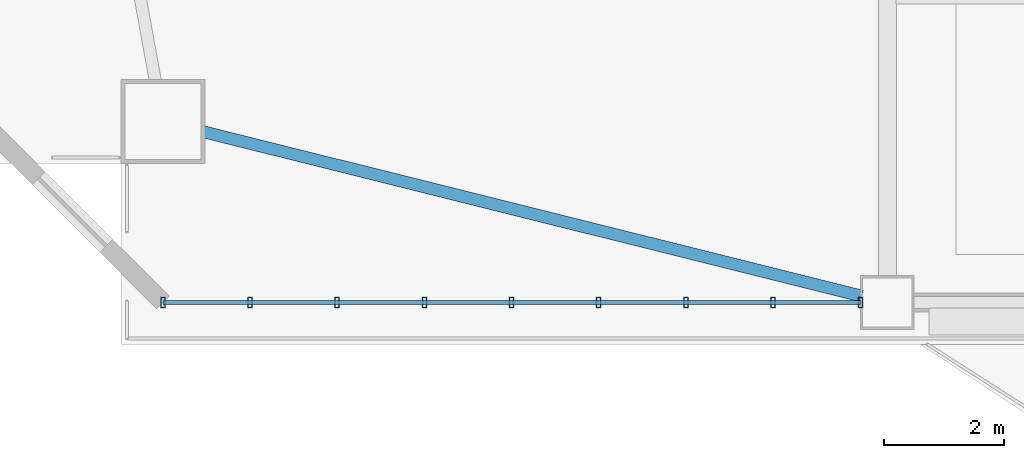
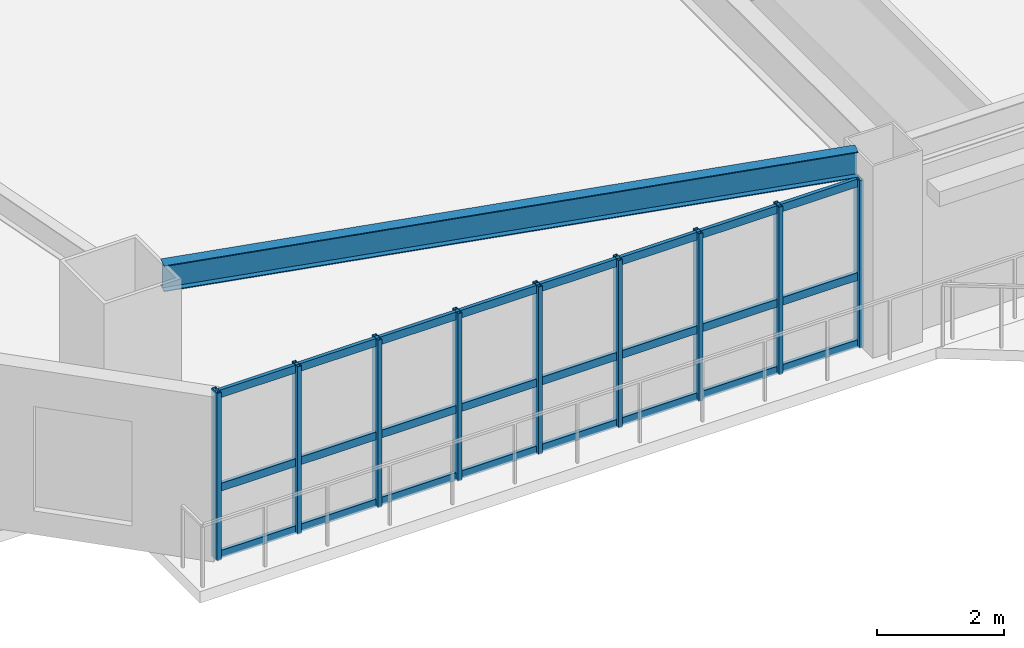
# One storey, part 2 of 15: 12 members, 1 beam, 1 element without a shape of its own.
"""IFC4 building model written with IfcOpenShell, lengths in metres."""

from ifc_helpers import new_model, si_unit, direction, frame, origin, origin_2d, place, context, subcontext, project, spatial, hollow_rectangle, i_section, extrude, source, transform, mapped, material, layer, layer_set, material_profile, profile_set, type_object, element, aggregate, save


model = new_model("IFC4")

# Units and contexts
model_context = context("Model", 3, precision=1e-05, world=origin(), true_north=direction((0.0, 1.0)))
body_context = subcontext(model_context, "Body", "Model", "MODEL_VIEW")
ifc_project = project(units=[si_unit("LENGTHUNIT", "METRE"), si_unit("AREAUNIT", "SQUARE_METRE"), si_unit("VOLUMEUNIT", "CUBIC_METRE"), si_unit("PLANEANGLEUNIT", "RADIAN"), si_unit("MASSUNIT", "GRAM", prefix="KILO")], contexts=[model_context])

# Site, building, storey
site_placement = place(None, origin())
site = spatial("IfcSite", under=ifc_project, at=site_placement, CompositionType="ELEMENT")
building_placement = place(site_placement, origin())
building = spatial("IfcBuilding", under=site, at=building_placement, Name="Giltprow Tower", CompositionType="ELEMENT")
storey_placement = place(building_placement, frame((0.0, 0.0, 115.300048828125)))
storey = spatial("IfcBuildingStorey", under=building, at=storey_placement, Name="L28", CompositionType="ELEMENT", Elevation=115.300048828125)

# Beam
ifc_material_1 = material(Name="Structural steel Q355B", Category="steel")
ifc_material_profile_1 = material_profile(ifc_material_1, i_section(OverallWidth=0.199951171875, OverallDepth=0.5, WebThickness=0.010009765625, FlangeThickness=0.01611328125, at=origin_2d()), Name="HN 500x200x10x16")
ifc_profile_set_1 = profile_set([ifc_material_profile_1], Name="Structural steel Q355B")
beam_type = type_object("IfcBeamType", Name="BM-SPAN-HN500", PredefinedType="SPANDREL", material=ifc_profile_set_1)
shared_shape_1 = source(origin(), body_context, "Body", "SweptSolid", [
    extrude(i_section(OverallWidth=0.199951171875, OverallDepth=0.5, WebThickness=0.010009765625, FlangeThickness=0.01611328125, at=origin_2d()), origin(), (0.0, 0.0, 1.0), 11.339599609375),
])
beam_placement = place(storey_placement, frame((8.426025390625, 9.841064453125, 3.429931640625), z_axis=(0.970233617996, -0.242170862223, 0.0), x_axis=(0.242170862223, 0.970233617996, 0.0)))
element("IfcBeam", 1, at=beam_placement, inside=storey, type_object=beam_type, Name="L28 Perimeter Spandrel Beam MC_SW-S1", PredefinedType="SPANDREL", context=body_context, shape_type="MappedRepresentation", body=[
    mapped(shared_shape_1, transform((0.0, 0.0, 0.0), x_axis=(1.0, 0.0, 0.0), y_axis=(0.0, 1.0, 0.0), z_axis=(0.0, 0.0, 1.0), scale=1.0)),
])

# Curtain wall, members
ifc_material_2 = material(Name="Anodized bronze", Category="metal")
ifc_layer = layer(ifc_material_2, 0.179931640625, Name="Anodized bronze")
ifc_layer_set = layer_set([ifc_layer], Name="Anodized bronze")
curtain_wall_type = type_object("IfcCurtainWallType", Name="CW-OFF-RECESSED", PredefinedType="NOTDEFINED", material=ifc_layer_set)
curtain_wall_placement = place(storey_placement, origin())
curtain_wall = element("IfcCurtainWall", 2, at=curtain_wall_placement, inside=storey, type_object=curtain_wall_type, Name="L28 South Recessed Curtain Wall 1", PredefinedType="NOTDEFINED")
ifc_material_profile_2 = material_profile(ifc_material_2, hollow_rectangle(XDim=0.074951171875, YDim=0.179931640625, WallThickness=0.008056640625, at=origin_2d()), Name="RHS 180x75x8")
ifc_profile_set_2 = profile_set([ifc_material_profile_2], Name="Anodized bronze")
member_type_1 = type_object("IfcMemberType", Name="CW-MULLION-180x75", PredefinedType="MULLION", material=ifc_profile_set_2)
shared_shape_2 = source(origin(), body_context, "Body", "SweptSolid", [
    extrude(hollow_rectangle(XDim=0.074951171875, YDim=0.179931640625, WallThickness=0.008056640625, at=origin_2d()), origin(), (0.0, 0.0, 1.0), 3.215087890625),
])
member_1_placement = place(storey_placement, frame((7.760986328125, 6.989990234375, -0.02001953125), z_axis=(0.0, 0.0, 1.0), x_axis=(1.0, 0.0, 0.0)))
member_1 = element("IfcMember", 3, at=member_1_placement, type_object=member_type_1, Name="L28 South Recessed Curtain Wall 1 Mullion 1", PredefinedType="MULLION", context=body_context, shape_type="MappedRepresentation", body=[
    mapped(shared_shape_2, transform((0.0, 0.0, 0.0), x_axis=(1.0, 0.0, 0.0), y_axis=(0.0, 1.0, 0.0), z_axis=(0.0, 0.0, 1.0), scale=1.0)),
])
member_2_placement = place(storey_placement, frame((9.216064453125, 6.989990234375, -0.02001953125), z_axis=(0.0, 0.0, 1.0), x_axis=(1.0, 0.0, 0.0)))
member_2 = element("IfcMember", 4, at=member_2_placement, type_object=member_type_1, Name="L28 South Recessed Curtain Wall 1 Mullion 2", PredefinedType="MULLION", context=body_context, shape_type="MappedRepresentation", body=[
    mapped(shared_shape_2, transform((0.0, 0.0, 0.0), x_axis=(1.0, 0.0, 0.0), y_axis=(0.0, 1.0, 0.0), z_axis=(0.0, 0.0, 1.0), scale=1.0)),
])
member_3_placement = place(storey_placement, frame((10.6708984375, 6.989990234375, -0.02001953125), z_axis=(0.0, 0.0, 1.0), x_axis=(1.0, 0.0, 0.0)))
member_3 = element("IfcMember", 5, at=member_3_placement, type_object=member_type_1, Name="L28 South Recessed Curtain Wall 1 Mullion 3", PredefinedType="MULLION", context=body_context, shape_type="MappedRepresentation", body=[
    mapped(shared_shape_2, transform((0.0, 0.0, 0.0), x_axis=(1.0, 0.0, 0.0), y_axis=(0.0, 1.0, 0.0), z_axis=(0.0, 0.0, 1.0), scale=1.0)),
])
member_4_placement = place(storey_placement, frame((12.1259765625, 6.989990234375, -0.02001953125), z_axis=(0.0, 0.0, 1.0), x_axis=(1.0, 0.0, 0.0)))
member_4 = element("IfcMember", 6, at=member_4_placement, type_object=member_type_1, Name="L28 South Recessed Curtain Wall 1 Mullion 4", PredefinedType="MULLION", context=body_context, shape_type="MappedRepresentation", body=[
    mapped(shared_shape_2, transform((0.0, 0.0, 0.0), x_axis=(1.0, 0.0, 0.0), y_axis=(0.0, 1.0, 0.0), z_axis=(0.0, 0.0, 1.0), scale=1.0)),
])
member_5_placement = place(storey_placement, frame((13.5810546875, 6.989990234375, -0.02001953125), z_axis=(0.0, 0.0, 1.0), x_axis=(1.0, 0.0, 0.0)))
member_5 = element("IfcMember", 7, at=member_5_placement, type_object=member_type_1, Name="L28 South Recessed Curtain Wall 1 Mullion 5", PredefinedType="MULLION", context=body_context, shape_type="MappedRepresentation", body=[
    mapped(shared_shape_2, transform((0.0, 0.0, 0.0), x_axis=(1.0, 0.0, 0.0), y_axis=(0.0, 1.0, 0.0), z_axis=(0.0, 0.0, 1.0), scale=1.0)),
])
member_6_placement = place(storey_placement, frame((15.034912109375, 6.989990234375, -0.02001953125), z_axis=(0.0, 0.0, 1.0), x_axis=(1.0, 0.0, 0.0)))
member_6 = element("IfcMember", 8, at=member_6_placement, type_object=member_type_1, Name="L28 South Recessed Curtain Wall 1 Mullion 6", PredefinedType="MULLION", context=body_context, shape_type="MappedRepresentation", body=[
    mapped(shared_shape_2, transform((0.0, 0.0, 0.0), x_axis=(1.0, 0.0, 0.0), y_axis=(0.0, 1.0, 0.0), z_axis=(0.0, 0.0, 1.0), scale=1.0)),
])
member_7_placement = place(storey_placement, frame((16.489990234375, 6.989990234375, -0.02001953125), z_axis=(0.0, 0.0, 1.0), x_axis=(1.0, 0.0, 0.0)))
member_7 = element("IfcMember", 9, at=member_7_placement, type_object=member_type_1, Name="L28 South Recessed Curtain Wall 1 Mullion 7", PredefinedType="MULLION", context=body_context, shape_type="MappedRepresentation", body=[
    mapped(shared_shape_2, transform((0.0, 0.0, 0.0), x_axis=(1.0, 0.0, 0.0), y_axis=(0.0, 1.0, 0.0), z_axis=(0.0, 0.0, 1.0), scale=1.0)),
])
member_8_placement = place(storey_placement, frame((17.945068359375, 6.989990234375, -0.02001953125), z_axis=(0.0, 0.0, 1.0), x_axis=(1.0, 0.0, 0.0)))
member_8 = element("IfcMember", 10, at=member_8_placement, type_object=member_type_1, Name="L28 South Recessed Curtain Wall 1 Mullion 8", PredefinedType="MULLION", context=body_context, shape_type="MappedRepresentation", body=[
    mapped(shared_shape_2, transform((0.0, 0.0, 0.0), x_axis=(1.0, 0.0, 0.0), y_axis=(0.0, 1.0, 0.0), z_axis=(0.0, 0.0, 1.0), scale=1.0)),
])
member_9_placement = place(storey_placement, frame((19.39990234375, 6.989990234375, -0.02001953125), z_axis=(0.0, 0.0, 1.0), x_axis=(1.0, 0.0, 0.0)))
member_9 = element("IfcMember", 11, at=member_9_placement, type_object=member_type_1, Name="L28 South Recessed Curtain Wall 1 Mullion 9", PredefinedType="MULLION", context=body_context, shape_type="MappedRepresentation", body=[
    mapped(shared_shape_2, transform((0.0, 0.0, 0.0), x_axis=(1.0, 0.0, 0.0), y_axis=(0.0, 1.0, 0.0), z_axis=(0.0, 0.0, 1.0), scale=1.0)),
])
ifc_material_profile_3 = material_profile(ifc_material_2, hollow_rectangle(XDim=0.06494140625, YDim=0.14990234375, WallThickness=0.006103515625, at=origin_2d()), Name="RHS 150x65x6")
ifc_profile_set_3 = profile_set([ifc_material_profile_3], Name="Anodized bronze")
member_type_2 = type_object("IfcMemberType", Name="CW-TRANSOM-150x65", PredefinedType="USERDEFINED", material=ifc_profile_set_3)
shared_shape_3 = source(origin(), body_context, "Body", "SweptSolid", [
    extrude(hollow_rectangle(XDim=0.06494140625, YDim=0.14990234375, WallThickness=0.006103515625, at=origin_2d()), origin(), (0.0, 0.0, 1.0), 11.638916015625),
])
member_10_placement = place(storey_placement, frame((7.760986328125, 6.989990234375, 0.0400390625), z_axis=(1.0, 0.0, 0.0), x_axis=(0.0, 1.0, 0.0)))
member_10 = element("IfcMember", 12, at=member_10_placement, type_object=member_type_2, Name="L28 South Recessed Curtain Wall 1 Transom 1", ObjectType="TRANSOM", PredefinedType="USERDEFINED", context=body_context, shape_type="MappedRepresentation", body=[
    mapped(shared_shape_3, transform((0.0, 0.0, 0.0), x_axis=(1.0, 0.0, 0.0), y_axis=(0.0, 1.0, 0.0), z_axis=(0.0, 0.0, 1.0), scale=1.0)),
])
member_11_placement = place(storey_placement, frame((7.760986328125, 6.989990234375, 1.326904296875), z_axis=(1.0, 0.0, 0.0), x_axis=(0.0, 1.0, 0.0)))
member_11 = element("IfcMember", 13, at=member_11_placement, type_object=member_type_2, Name="L28 South Recessed Curtain Wall 1 Transom 2", ObjectType="TRANSOM", PredefinedType="USERDEFINED", context=body_context, shape_type="MappedRepresentation", body=[
    mapped(shared_shape_3, transform((0.0, 0.0, 0.0), x_axis=(1.0, 0.0, 0.0), y_axis=(0.0, 1.0, 0.0), z_axis=(0.0, 0.0, 1.0), scale=1.0)),
])
member_12_placement = place(storey_placement, frame((7.760986328125, 6.989990234375, 3.119873046875), z_axis=(1.0, 0.0, 0.0), x_axis=(0.0, 1.0, 0.0)))
member_12 = element("IfcMember", 14, at=member_12_placement, type_object=member_type_2, Name="L28 South Recessed Curtain Wall 1 Transom 3", ObjectType="TRANSOM", PredefinedType="USERDEFINED", context=body_context, shape_type="MappedRepresentation", body=[
    mapped(shared_shape_3, transform((0.0, 0.0, 0.0), x_axis=(1.0, 0.0, 0.0), y_axis=(0.0, 1.0, 0.0), z_axis=(0.0, 0.0, 1.0), scale=1.0)),
])
aggregate(curtain_wall, [member_1, member_2, member_3, member_4, member_5, member_6, member_7, member_8, member_9, member_10, member_11, member_12])

save(model, "model.ifc")
